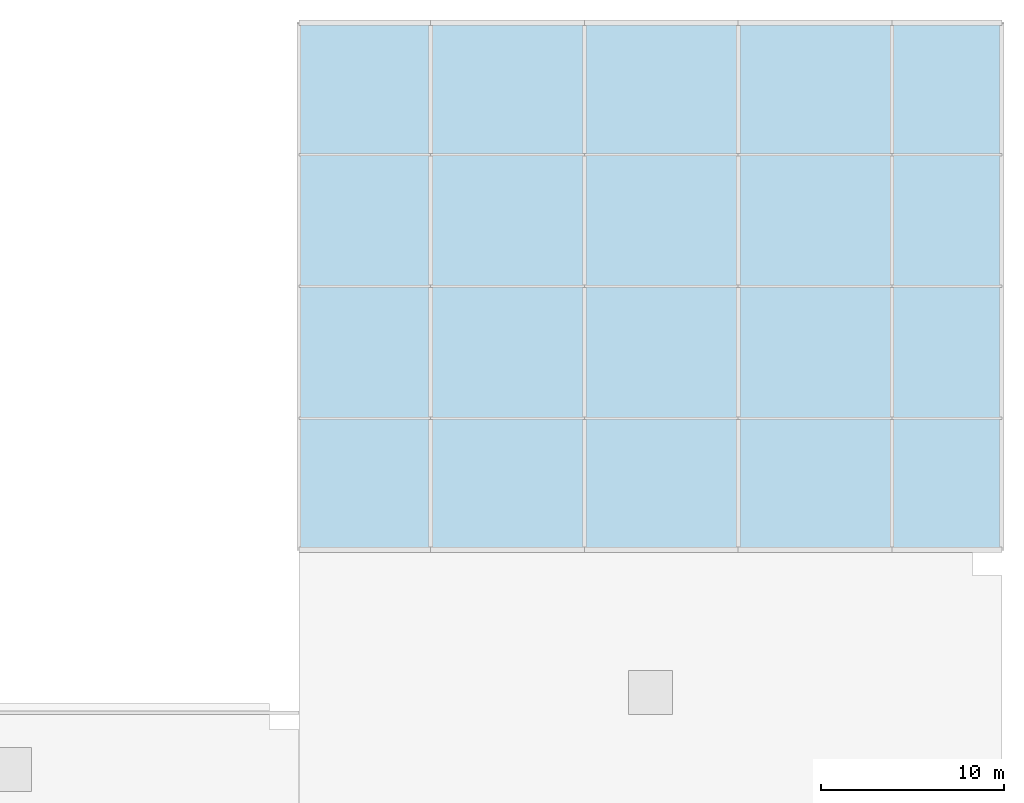
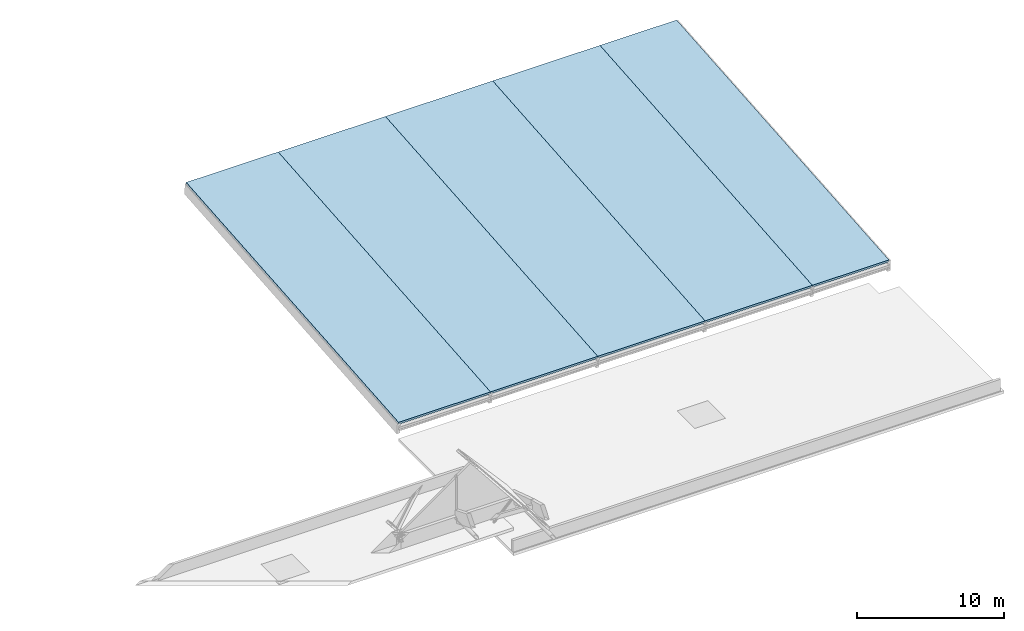
# One storey, part 30 of 39: 5 slabs.
"""IFC4 building model written with IfcOpenShell, lengths in metres."""

from ifc_helpers import new_model, si_unit, direction, frame, origin, place, context, subcontext, project, spatial, polyline, outline, extrude, material, layer, layer_set, type_object, element, save


model = new_model("IFC4")

# Units and contexts
model_context = context("Model", 3, precision=1e-05, world=origin(), true_north=direction((0.0, 1.0)))
body_context = subcontext(model_context, "Body", "Model", "MODEL_VIEW")
ifc_project = project(units=[si_unit("LENGTHUNIT", "METRE"), si_unit("AREAUNIT", "SQUARE_METRE"), si_unit("VOLUMEUNIT", "CUBIC_METRE"), si_unit("PLANEANGLEUNIT", "RADIAN"), si_unit("MASSUNIT", "GRAM", prefix="KILO")], contexts=[model_context])

# Site, building, storey
site_placement = place(None, origin())
site = spatial("IfcSite", under=ifc_project, at=site_placement, CompositionType="ELEMENT")
building_placement = place(site_placement, origin())
building = spatial("IfcBuilding", under=site, at=building_placement, Name="Tizgana Railside Sports Hall", CompositionType="ELEMENT")
storey_placement = place(building_placement, frame((0.0, 0.0, 23.699951171875)))
storey = spatial("IfcBuildingStorey", under=building, at=storey_placement, Name="RF", CompositionType="ELEMENT", Elevation=23.699951171875)

# Slabs
ifc_material = material(Name="Cross-laminated timber CL24h", Category="wood")
ifc_layer = layer(ifc_material, 0.179931640625, Name="Cross-laminated timber CL24h")
ifc_layer_set = layer_set([ifc_layer], Name="Cross-laminated timber CL24h")
slab_type = type_object("IfcSlabType", Name="Pitched CLT Climbing Roof Panel 180", PredefinedType="ROOF", material=ifc_layer_set)
slab_1_placement = place(storey_placement, frame((133.800048828125, 88.800048828125, -6.14990234375), z_axis=(0.0, -0.083041984207, 0.996546049543), x_axis=(1.0, 0.0, 0.0)))
element("IfcSlab", 1, at=slab_1_placement, inside=storey, type_object=slab_type, Name="RF V3 Climbing Roof SLB-0102", PredefinedType="ROOF", context=body_context, shape_type="SweptSolid", body=[
    extrude(outline(polyline([(0.0, 0.0), (7.199951171875, 0.0), (7.199951171875, 28.899867538830016), (0.0, 28.899867538830016), (0.0, 0.0)])), origin(), (0.0, 0.0, -1.0), 0.179931640625),
])
slab_2_placement = place(storey_placement, frame((141.0, 88.800048828125, -6.14990234375), z_axis=(0.0, -0.083041984207, 0.996546049543), x_axis=(1.0, 0.0, 0.0)))
element("IfcSlab", 2, at=slab_2_placement, inside=storey, type_object=slab_type, Name="RF V3 Climbing Roof SLB-0103", PredefinedType="ROOF", context=body_context, shape_type="SweptSolid", body=[
    extrude(outline(polyline([(0.0, 0.0), (8.39990234375, 0.0), (8.39990234375, 28.899867538830016), (0.0, 28.899867538830016), (0.0, 0.0)])), origin(), (0.0, 0.0, -1.0), 0.179931640625),
])
slab_3_placement = place(storey_placement, frame((149.39990234375, 88.800048828125, -6.14990234375), z_axis=(0.0, -0.083041984207, 0.996546049543), x_axis=(1.0, 0.0, 0.0)))
element("IfcSlab", 3, at=slab_3_placement, inside=storey, type_object=slab_type, Name="RF V3 Climbing Roof SLB-0104", PredefinedType="ROOF", context=body_context, shape_type="SweptSolid", body=[
    extrude(outline(polyline([(0.0, 0.0), (8.400146484375, 0.0), (8.400146484375, 28.899867538830016), (0.0, 28.899867538830016), (0.0, 0.0)])), origin(), (0.0, 0.0, -1.0), 0.179931640625),
])
slab_4_placement = place(storey_placement, frame((157.800048828125, 88.800048828125, -6.14990234375), z_axis=(0.0, -0.083041984207, 0.996546049543), x_axis=(1.0, 0.0, 0.0)))
element("IfcSlab", 4, at=slab_4_placement, inside=storey, type_object=slab_type, Name="RF V3 Climbing Roof SLB-0105", PredefinedType="ROOF", context=body_context, shape_type="SweptSolid", body=[
    extrude(outline(polyline([(0.0, 0.0), (8.39990234375, 0.0), (8.39990234375, 28.899867538830016), (0.0, 28.899867538830016), (0.0, 0.0)])), origin(), (0.0, 0.0, -1.0), 0.179931640625),
])
slab_5_placement = place(storey_placement, frame((166.199951171875, 88.800048828125, -6.14990234375), z_axis=(0.0, -0.083041984207, 0.996546049543), x_axis=(1.0, 0.0, 0.0)))
element("IfcSlab", 5, at=slab_5_placement, inside=storey, type_object=slab_type, Name="RF V3 Climbing Roof SLB-0106", PredefinedType="ROOF", context=body_context, shape_type="SweptSolid", body=[
    extrude(outline(polyline([(0.0, 0.0), (6.0, 0.0), (6.0, 28.899867538830016), (0.0, 28.899867538830016), (0.0, 0.0)])), origin(), (0.0, 0.0, -1.0), 0.179931640625),
])

save(model, "model.ifc")
